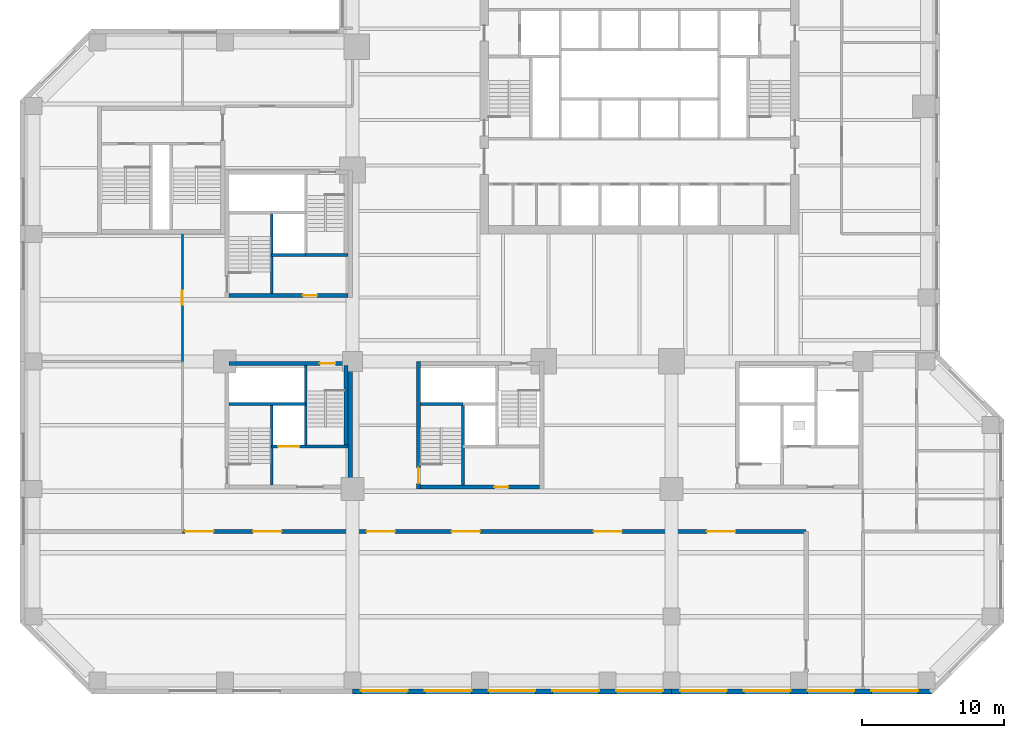
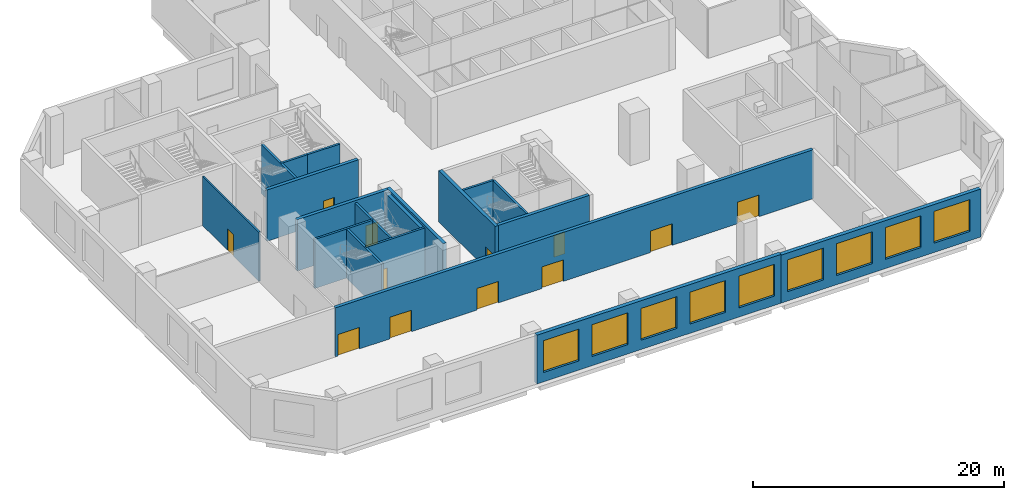
# One storey, part 4 of 12: 19 walls, 12 doors, 9 windows, 21 openings.
"""IFC4 building model written with IfcOpenShell, lengths in metres."""

from ifc_helpers import new_model, si_unit, direction, frame, frame_2d, origin, place, context, subcontext, project, spatial, rectangle, extrude, material, layer, layer_set, constituent, constituent_set, type_object, element, fill, save


model = new_model("IFC4")

# Units and contexts
model_context = context("Model", 3, precision=1e-05, world=origin(), true_north=direction((0.0, 1.0)))
body_context = subcontext(model_context, "Body", "Model", "MODEL_VIEW")
ifc_project = project(units=[si_unit("LENGTHUNIT", "METRE"), si_unit("AREAUNIT", "SQUARE_METRE"), si_unit("VOLUMEUNIT", "CUBIC_METRE"), si_unit("PLANEANGLEUNIT", "RADIAN"), si_unit("MASSUNIT", "GRAM", prefix="KILO")], contexts=[model_context])

# Site, building, storey
site_placement = place(None, origin())
site = spatial("IfcSite", under=ifc_project, at=site_placement, CompositionType="ELEMENT")
building_placement = place(site_placement, origin())
building = spatial("IfcBuilding", under=site, at=building_placement, Name="Quoin Convention Tower", CompositionType="ELEMENT")
storey_placement = place(building_placement, frame((0.0, 0.0, 13.5)))
storey = spatial("IfcBuildingStorey", under=building, at=storey_placement, Name="L02", CompositionType="ELEMENT", Elevation=13.5)

# Wall, openings, doors
ifc_material_1 = material(Name="Plasterboard")
ifc_layer_1 = layer(ifc_material_1, 0.012451171875, Name="Finish")
ifc_material_2 = material(Name="Steel stud framing", Category="steel")
ifc_layer_2 = layer(ifc_material_2, 0.27490234375, Name="Structure")
ifc_layer_3 = layer(ifc_material_1, 0.012451171875, Name="Finish")
ifc_layer_set_1 = layer_set([ifc_layer_1, ifc_layer_2, ifc_layer_3], Name="Steel stud framing")
wall_type_1 = type_object("IfcWallType", Name="Acoustic wall 300", PredefinedType="PARTITIONING", material=ifc_layer_set_1)
wall_1_placement = place(storey_placement, frame((24.0, 28.5, 0.0), z_axis=(0.0, 0.0, 1.0), x_axis=(1.0, 0.0, 0.0)))
wall_1 = element("IfcWall", 1, at=wall_1_placement, inside=storey, type_object=wall_type_1, Name="pw-L02-004", PredefinedType="PARTITIONING", context=body_context, shape_type="SweptSolid", body=[
    extrude(rectangle(XDim=44.0, YDim=0.300048828125, at=frame_2d((22.0, 0.0))), origin(), (0.0, 0.0, 1.0), 4.780029296875),
])
opening_1_placement = place(wall_1_placement, frame((0.199951171875, 0.0, 0.0)))
opening_1 = element("IfcOpeningElement", 2, at=opening_1_placement, cuts=wall_1, Name="Opening DPD2-03", PredefinedType="OPENING", context=body_context, shape_type="SweptSolid", body=[
    extrude(rectangle(XDim=2.0, YDim=2.10009765625, at=frame_2d((1.0, 1.050048828125))), frame((0.0, 0.159912109375, 0.0), z_axis=(0.0, -1.0, 0.0), x_axis=(1.0, 0.0, 0.0)), (0.0, 0.0, 1.0), 0.320068359375),
])
opening_2_placement = place(wall_1_placement, frame((5.0, 0.0, 0.0)))
opening_2 = element("IfcOpeningElement", 3, at=opening_2_placement, cuts=wall_1, Name="Opening DPD2-04", PredefinedType="OPENING", context=body_context, shape_type="SweptSolid", body=[
    extrude(rectangle(XDim=2.0, YDim=2.10009765625, at=frame_2d((1.0, 1.050048828125))), frame((0.0, 0.159912109375, 0.0), z_axis=(0.0, -1.0, 0.0), x_axis=(1.0, 0.0, 0.0)), (0.0, 0.0, 1.0), 0.320068359375),
])
opening_3_placement = place(wall_1_placement, frame((13.0, 0.0, 0.0)))
opening_3 = element("IfcOpeningElement", 4, at=opening_3_placement, cuts=wall_1, Name="Opening DPD2-05", PredefinedType="OPENING", context=body_context, shape_type="SweptSolid", body=[
    extrude(rectangle(XDim=2.0, YDim=2.10009765625, at=frame_2d((1.0, 1.050048828125))), frame((0.0, 0.159912109375, 0.0), z_axis=(0.0, -1.0, 0.0), x_axis=(1.0, 0.0, 0.0)), (0.0, 0.0, 1.0), 0.320068359375),
])
opening_4_placement = place(wall_1_placement, frame((19.0, 0.0, 0.0)))
opening_4 = element("IfcOpeningElement", 5, at=opening_4_placement, cuts=wall_1, Name="Opening DPD2-06", PredefinedType="OPENING", context=body_context, shape_type="SweptSolid", body=[
    extrude(rectangle(XDim=2.0, YDim=2.10009765625, at=frame_2d((1.0, 1.050048828125))), frame((0.0, 0.159912109375, 0.0), z_axis=(0.0, -1.0, 0.0), x_axis=(1.0, 0.0, 0.0)), (0.0, 0.0, 1.0), 0.320068359375),
])
opening_5_placement = place(wall_1_placement, frame((37.0, 0.0, 0.0)))
opening_5 = element("IfcOpeningElement", 6, at=opening_5_placement, cuts=wall_1, Name="Opening DPD2-08", PredefinedType="OPENING", context=body_context, shape_type="SweptSolid", body=[
    extrude(rectangle(XDim=2.0, YDim=2.10009765625, at=frame_2d((1.0, 1.050048828125))), frame((0.0, 0.159912109375, 0.0), z_axis=(0.0, -1.0, 0.0), x_axis=(1.0, 0.0, 0.0)), (0.0, 0.0, 1.0), 0.320068359375),
])
opening_6_placement = place(wall_1_placement, frame((29.0, 0.0, 0.0)))
opening_6 = element("IfcOpeningElement", 7, at=opening_6_placement, cuts=wall_1, Name="Opening DPD2-07", PredefinedType="OPENING", context=body_context, shape_type="SweptSolid", body=[
    extrude(rectangle(XDim=2.0, YDim=2.10009765625, at=frame_2d((1.0, 1.050048828125))), frame((0.0, 0.159912109375, 0.0), z_axis=(0.0, -1.0, 0.0), x_axis=(1.0, 0.0, 0.0)), (0.0, 0.0, 1.0), 0.320068359375),
])
ifc_material_3 = material(Name="Steel door leaf", Category="steel")
door_type_1 = type_object("IfcDoorType", Name="Double leaf door 2000", OperationType="DOUBLE_DOOR_SINGLE_SWING", PredefinedType="DOOR", material=ifc_material_3)
door_1_placement = place(opening_1_placement, origin())
door_1 = element("IfcDoor", 8, at=door_1_placement, inside=storey, type_object=door_type_1, Name="dr-L02-001", OperationType="DOUBLE_DOOR_SINGLE_SWING", OverallHeight=2.10009765625, OverallWidth=2.0, PredefinedType="DOOR", context=body_context, shape_type="SweptSolid", body=[
    extrude(rectangle(XDim=2.0, YDim=2.10009765625, at=frame_2d((1.0, 1.050048828125))), frame((0.0, 0.02490234375, 0.0), z_axis=(0.0, -1.0, 0.0), x_axis=(1.0, 0.0, 0.0)), (0.0, 0.0, 1.0), 0.050048828125),
])
fill(opening_1, door_1)
door_2_placement = place(opening_2_placement, origin())
door_2 = element("IfcDoor", 9, at=door_2_placement, inside=storey, type_object=door_type_1, Name="dr-L02-002", OperationType="DOUBLE_DOOR_SINGLE_SWING", OverallHeight=2.10009765625, OverallWidth=2.0, PredefinedType="DOOR", context=body_context, shape_type="SweptSolid", body=[
    extrude(rectangle(XDim=2.0, YDim=2.10009765625, at=frame_2d((1.0, 1.050048828125))), frame((0.0, 0.02490234375, 0.0), z_axis=(0.0, -1.0, 0.0), x_axis=(1.0, 0.0, 0.0)), (0.0, 0.0, 1.0), 0.050048828125),
])
fill(opening_2, door_2)
door_3_placement = place(opening_3_placement, origin())
door_3 = element("IfcDoor", 10, at=door_3_placement, inside=storey, type_object=door_type_1, Name="dr-L02-003", OperationType="DOUBLE_DOOR_SINGLE_SWING", OverallHeight=2.10009765625, OverallWidth=2.0, PredefinedType="DOOR", context=body_context, shape_type="SweptSolid", body=[
    extrude(rectangle(XDim=2.0, YDim=2.10009765625, at=frame_2d((1.0, 1.050048828125))), frame((0.0, 0.02490234375, 0.0), z_axis=(0.0, -1.0, 0.0), x_axis=(1.0, 0.0, 0.0)), (0.0, 0.0, 1.0), 0.050048828125),
])
fill(opening_3, door_3)
door_4_placement = place(opening_4_placement, origin())
door_4 = element("IfcDoor", 11, at=door_4_placement, inside=storey, type_object=door_type_1, Name="dr-L02-004", OperationType="DOUBLE_DOOR_SINGLE_SWING", OverallHeight=2.10009765625, OverallWidth=2.0, PredefinedType="DOOR", context=body_context, shape_type="SweptSolid", body=[
    extrude(rectangle(XDim=2.0, YDim=2.10009765625, at=frame_2d((1.0, 1.050048828125))), frame((0.0, 0.02490234375, 0.0), z_axis=(0.0, -1.0, 0.0), x_axis=(1.0, 0.0, 0.0)), (0.0, 0.0, 1.0), 0.050048828125),
])
fill(opening_4, door_4)
door_5_placement = place(opening_5_placement, origin())
door_5 = element("IfcDoor", 12, at=door_5_placement, inside=storey, type_object=door_type_1, Name="dr-L02-005", OperationType="DOUBLE_DOOR_SINGLE_SWING", OverallHeight=2.10009765625, OverallWidth=2.0, PredefinedType="DOOR", context=body_context, shape_type="SweptSolid", body=[
    extrude(rectangle(XDim=2.0, YDim=2.10009765625, at=frame_2d((1.0, 1.050048828125))), frame((0.0, 0.02490234375, 0.0), z_axis=(0.0, -1.0, 0.0), x_axis=(1.0, 0.0, 0.0)), (0.0, 0.0, 1.0), 0.050048828125),
])
fill(opening_5, door_5)
door_6_placement = place(opening_6_placement, origin())
door_6 = element("IfcDoor", 13, at=door_6_placement, inside=storey, type_object=door_type_1, Name="dr-L02-006", OperationType="DOUBLE_DOOR_SINGLE_SWING", OverallHeight=2.10009765625, OverallWidth=2.0, PredefinedType="DOOR", context=body_context, shape_type="SweptSolid", body=[
    extrude(rectangle(XDim=2.0, YDim=2.10009765625, at=frame_2d((1.0, 1.050048828125))), frame((0.0, 0.02490234375, 0.0), z_axis=(0.0, -1.0, 0.0), x_axis=(1.0, 0.0, 0.0)), (0.0, 0.0, 1.0), 0.050048828125),
])
fill(opening_6, door_6)

# Wall, openings, windows
ifc_material_4 = material(Name="Brick masonry", Category="masonry")
ifc_layer_4 = layer(ifc_material_4, 0.35009765625)
ifc_layer_set_2 = layer_set([ifc_layer_4], Name="Brick masonry")
wall_type_2 = type_object("IfcWallType", Name="Brick facade wall", PredefinedType="STANDARD", material=ifc_layer_set_2)
wall_2_placement = place(storey_placement, frame((36.0, 17.22509765625, 0.0), z_axis=(0.0, 0.0, 1.0), x_axis=(1.0, 0.0, 0.0)))
wall_2 = element("IfcWall", 14, at=wall_2_placement, inside=storey, type_object=wall_type_2, Name="fw-L02-36000_18000", PredefinedType="STANDARD", context=body_context, shape_type="SweptSolid", body=[
    extrude(rectangle(XDim=22.5, YDim=0.35009765625, at=frame_2d((11.25, 0.0))), origin(), (0.0, 0.0, 1.0), 4.7548828125),
])
opening_7_placement = place(wall_2_placement, frame((0.60009765625, 0.0, 0.89990234375)))
opening_7 = element("IfcOpeningElement", 15, at=opening_7_placement, cuts=wall_2, Name="Opening W-05", PredefinedType="OPENING", context=body_context, shape_type="SweptSolid", body=[
    extrude(rectangle(XDim=3.300048828125, YDim=3.10009765625, at=frame_2d((1.64990234375, 1.550048828125))), frame((0.0, 0.18505859375, 0.0), z_axis=(0.0, -1.0, 0.0), x_axis=(1.0, 0.0, 0.0)), (0.0, 0.0, 1.0), 0.3701171875),
])
opening_8_placement = place(wall_2_placement, frame((5.10009765625, 0.0, 0.89990234375)))
opening_8 = element("IfcOpeningElement", 16, at=opening_8_placement, cuts=wall_2, Name="Opening W-05", PredefinedType="OPENING", context=body_context, shape_type="SweptSolid", body=[
    extrude(rectangle(XDim=3.300048828125, YDim=3.10009765625, at=frame_2d((1.64990234375, 1.550048828125))), frame((0.0, 0.18505859375, 0.0), z_axis=(0.0, -1.0, 0.0), x_axis=(1.0, 0.0, 0.0)), (0.0, 0.0, 1.0), 0.3701171875),
])
opening_9_placement = place(wall_2_placement, frame((9.60009765625, 0.0, 0.89990234375)))
opening_9 = element("IfcOpeningElement", 17, at=opening_9_placement, cuts=wall_2, Name="Opening W-05", PredefinedType="OPENING", context=body_context, shape_type="SweptSolid", body=[
    extrude(rectangle(XDim=3.300048828125, YDim=3.10009765625, at=frame_2d((1.64990234375, 1.550048828125))), frame((0.0, 0.18505859375, 0.0), z_axis=(0.0, -1.0, 0.0), x_axis=(1.0, 0.0, 0.0)), (0.0, 0.0, 1.0), 0.3701171875),
])
opening_10_placement = place(wall_2_placement, frame((14.10009765625, 0.0, 0.89990234375)))
opening_10 = element("IfcOpeningElement", 18, at=opening_10_placement, cuts=wall_2, Name="Opening W-05", PredefinedType="OPENING", context=body_context, shape_type="SweptSolid", body=[
    extrude(rectangle(XDim=3.300048828125, YDim=3.10009765625, at=frame_2d((1.64990234375, 1.550048828125))), frame((0.0, 0.18505859375, 0.0), z_axis=(0.0, -1.0, 0.0), x_axis=(1.0, 0.0, 0.0)), (0.0, 0.0, 1.0), 0.3701171875),
])
opening_11_placement = place(wall_2_placement, frame((18.60009765625, 0.0, 0.89990234375)))
opening_11 = element("IfcOpeningElement", 19, at=opening_11_placement, cuts=wall_2, Name="Opening W-05", PredefinedType="OPENING", context=body_context, shape_type="SweptSolid", body=[
    extrude(rectangle(XDim=3.300048828125, YDim=3.10009765625, at=frame_2d((1.64990234375, 1.550048828125))), frame((0.0, 0.18505859375, 0.0), z_axis=(0.0, -1.0, 0.0), x_axis=(1.0, 0.0, 0.0)), (0.0, 0.0, 1.0), 0.3701171875),
])
ifc_material_5 = material(Name="Aluminium", Category="aluminium")
ifc_constituent_1 = constituent(ifc_material_5, Name="Frame")
ifc_material_6 = material(Name="Insulated glass", Category="glass")
ifc_constituent_2 = constituent(ifc_material_6, Name="Glazing")
ifc_constituent_set = constituent_set(constituents=[ifc_constituent_1, ifc_constituent_2], Name="Aluminium")
window_type = type_object("IfcWindowType", Name="Convention window L02", PartitioningType="TRIPLE_PANEL_VERTICAL", PredefinedType="WINDOW", material=ifc_constituent_set)
window_1_placement = place(opening_7_placement, origin())
window_1 = element("IfcWindow", 20, at=window_1_placement, inside=storey, type_object=window_type, Name="win-L02-38250_17225", OverallHeight=3.10009765625, OverallWidth=3.300048828125, PartitioningType="SINGLE_PANEL", PredefinedType="WINDOW", context=body_context, shape_type="SweptSolid", body=[
    extrude(rectangle(XDim=3.300048828125, YDim=3.10009765625, at=frame_2d((1.64990234375, 1.550048828125))), frame((0.0, 0.0849609375, 0.0), z_axis=(0.0, -1.0, 0.0), x_axis=(1.0, 0.0, 0.0)), (0.0, 0.0, 1.0), 0.06005859375),
])
fill(opening_7, window_1)
window_2_placement = place(opening_8_placement, origin())
window_2 = element("IfcWindow", 21, at=window_2_placement, inside=storey, type_object=window_type, Name="win-L02-42750_17225", OverallHeight=3.10009765625, OverallWidth=3.300048828125, PartitioningType="SINGLE_PANEL", PredefinedType="WINDOW", context=body_context, shape_type="SweptSolid", body=[
    extrude(rectangle(XDim=3.300048828125, YDim=3.10009765625, at=frame_2d((1.64990234375, 1.550048828125))), frame((0.0, 0.0849609375, 0.0), z_axis=(0.0, -1.0, 0.0), x_axis=(1.0, 0.0, 0.0)), (0.0, 0.0, 1.0), 0.06005859375),
])
fill(opening_8, window_2)
window_3_placement = place(opening_9_placement, origin())
window_3 = element("IfcWindow", 22, at=window_3_placement, inside=storey, type_object=window_type, Name="win-L02-47250_17225", OverallHeight=3.10009765625, OverallWidth=3.300048828125, PartitioningType="SINGLE_PANEL", PredefinedType="WINDOW", context=body_context, shape_type="SweptSolid", body=[
    extrude(rectangle(XDim=3.300048828125, YDim=3.10009765625, at=frame_2d((1.64990234375, 1.550048828125))), frame((0.0, 0.0849609375, 0.0), z_axis=(0.0, -1.0, 0.0), x_axis=(1.0, 0.0, 0.0)), (0.0, 0.0, 1.0), 0.06005859375),
])
fill(opening_9, window_3)
window_4_placement = place(opening_10_placement, origin())
window_4 = element("IfcWindow", 23, at=window_4_placement, inside=storey, type_object=window_type, Name="win-L02-51750_17225", OverallHeight=3.10009765625, OverallWidth=3.300048828125, PartitioningType="SINGLE_PANEL", PredefinedType="WINDOW", context=body_context, shape_type="SweptSolid", body=[
    extrude(rectangle(XDim=3.300048828125, YDim=3.10009765625, at=frame_2d((1.64990234375, 1.550048828125))), frame((0.0, 0.0849609375, 0.0), z_axis=(0.0, -1.0, 0.0), x_axis=(1.0, 0.0, 0.0)), (0.0, 0.0, 1.0), 0.06005859375),
])
fill(opening_10, window_4)
window_5_placement = place(opening_11_placement, origin())
window_5 = element("IfcWindow", 24, at=window_5_placement, inside=storey, type_object=window_type, Name="win-L02-56250_17225", OverallHeight=3.10009765625, OverallWidth=3.300048828125, PartitioningType="SINGLE_PANEL", PredefinedType="WINDOW", context=body_context, shape_type="SweptSolid", body=[
    extrude(rectangle(XDim=3.300048828125, YDim=3.10009765625, at=frame_2d((1.64990234375, 1.550048828125))), frame((0.0, 0.0849609375, 0.0), z_axis=(0.0, -1.0, 0.0), x_axis=(1.0, 0.0, 0.0)), (0.0, 0.0, 1.0), 0.06005859375),
])
fill(opening_11, window_5)

wall_3_placement = place(storey_placement, frame((58.5, 17.22509765625, 0.0), z_axis=(0.0, 0.0, 1.0), x_axis=(1.0, 0.0, 0.0)))
wall_3 = element("IfcWall", 25, at=wall_3_placement, inside=storey, type_object=wall_type_2, Name="fw-L02-58500_18000", PredefinedType="STANDARD", context=body_context, shape_type="SweptSolid", body=[
    extrude(rectangle(XDim=18.3935546875, YDim=0.35009765625, at=frame_2d((9.19677734375, 0.0))), origin(), (0.0, 0.0, 1.0), 4.675048828125),
])
opening_12_placement = place(wall_3_placement, frame((0.60009765625, 0.0, 0.89990234375)))
opening_12 = element("IfcOpeningElement", 26, at=opening_12_placement, cuts=wall_3, Name="Opening W-05", PredefinedType="OPENING", context=body_context, shape_type="SweptSolid", body=[
    extrude(rectangle(XDim=3.300048828125, YDim=3.10009765625, at=frame_2d((1.64990234375, 1.550048828125))), frame((0.0, 0.18505859375, 0.0), z_axis=(0.0, -1.0, 0.0), x_axis=(1.0, 0.0, 0.0)), (0.0, 0.0, 1.0), 0.3701171875),
])
opening_13_placement = place(wall_3_placement, frame((5.10009765625, 0.0, 0.89990234375)))
opening_13 = element("IfcOpeningElement", 27, at=opening_13_placement, cuts=wall_3, Name="Opening W-05", PredefinedType="OPENING", context=body_context, shape_type="SweptSolid", body=[
    extrude(rectangle(XDim=3.300048828125, YDim=3.10009765625, at=frame_2d((1.64990234375, 1.550048828125))), frame((0.0, 0.18505859375, 0.0), z_axis=(0.0, -1.0, 0.0), x_axis=(1.0, 0.0, 0.0)), (0.0, 0.0, 1.0), 0.3701171875),
])
opening_14_placement = place(wall_3_placement, frame((9.60009765625, 0.0, 0.89990234375)))
opening_14 = element("IfcOpeningElement", 28, at=opening_14_placement, cuts=wall_3, Name="Opening W-05", PredefinedType="OPENING", context=body_context, shape_type="SweptSolid", body=[
    extrude(rectangle(XDim=3.300048828125, YDim=3.10009765625, at=frame_2d((1.64990234375, 1.550048828125))), frame((0.0, 0.18505859375, 0.0), z_axis=(0.0, -1.0, 0.0), x_axis=(1.0, 0.0, 0.0)), (0.0, 0.0, 1.0), 0.3701171875),
])
opening_15_placement = place(wall_3_placement, frame((14.10009765625, 0.0, 0.89990234375)))
opening_15 = element("IfcOpeningElement", 29, at=opening_15_placement, cuts=wall_3, Name="Opening W-05", PredefinedType="OPENING", context=body_context, shape_type="SweptSolid", body=[
    extrude(rectangle(XDim=3.300048828125, YDim=3.10009765625, at=frame_2d((1.64990234375, 1.550048828125))), frame((0.0, 0.18505859375, 0.0), z_axis=(0.0, -1.0, 0.0), x_axis=(1.0, 0.0, 0.0)), (0.0, 0.0, 1.0), 0.3701171875),
])
window_6_placement = place(opening_12_placement, origin())
window_6 = element("IfcWindow", 30, at=window_6_placement, inside=storey, type_object=window_type, Name="win-L02-60750_17225", OverallHeight=3.10009765625, OverallWidth=3.300048828125, PartitioningType="SINGLE_PANEL", PredefinedType="WINDOW", context=body_context, shape_type="SweptSolid", body=[
    extrude(rectangle(XDim=3.300048828125, YDim=3.10009765625, at=frame_2d((1.64990234375, 1.550048828125))), frame((0.0, 0.0849609375, 0.0), z_axis=(0.0, -1.0, 0.0), x_axis=(1.0, 0.0, 0.0)), (0.0, 0.0, 1.0), 0.06005859375),
])
fill(opening_12, window_6)
window_7_placement = place(opening_13_placement, origin())
window_7 = element("IfcWindow", 31, at=window_7_placement, inside=storey, type_object=window_type, Name="win-L02-65250_17225", OverallHeight=3.10009765625, OverallWidth=3.300048828125, PartitioningType="SINGLE_PANEL", PredefinedType="WINDOW", context=body_context, shape_type="SweptSolid", body=[
    extrude(rectangle(XDim=3.300048828125, YDim=3.10009765625, at=frame_2d((1.64990234375, 1.550048828125))), frame((0.0, 0.0849609375, 0.0), z_axis=(0.0, -1.0, 0.0), x_axis=(1.0, 0.0, 0.0)), (0.0, 0.0, 1.0), 0.06005859375),
])
fill(opening_13, window_7)
window_8_placement = place(opening_14_placement, origin())
window_8 = element("IfcWindow", 32, at=window_8_placement, inside=storey, type_object=window_type, Name="win-L02-69750_17225", OverallHeight=3.10009765625, OverallWidth=3.300048828125, PartitioningType="SINGLE_PANEL", PredefinedType="WINDOW", context=body_context, shape_type="SweptSolid", body=[
    extrude(rectangle(XDim=3.300048828125, YDim=3.10009765625, at=frame_2d((1.64990234375, 1.550048828125))), frame((0.0, 0.0849609375, 0.0), z_axis=(0.0, -1.0, 0.0), x_axis=(1.0, 0.0, 0.0)), (0.0, 0.0, 1.0), 0.06005859375),
])
fill(opening_14, window_8)
window_9_placement = place(opening_15_placement, origin())
window_9 = element("IfcWindow", 33, at=window_9_placement, inside=storey, type_object=window_type, Name="win-L02-74250_17225", OverallHeight=3.10009765625, OverallWidth=3.300048828125, PartitioningType="SINGLE_PANEL", PredefinedType="WINDOW", context=body_context, shape_type="SweptSolid", body=[
    extrude(rectangle(XDim=3.300048828125, YDim=3.10009765625, at=frame_2d((1.64990234375, 1.550048828125))), frame((0.0, 0.0849609375, 0.0), z_axis=(0.0, -1.0, 0.0), x_axis=(1.0, 0.0, 0.0)), (0.0, 0.0, 1.0), 0.06005859375),
])
fill(opening_15, window_9)

# Walls
ifc_material_7 = material(Name="Concrete C50", Category="concrete")
ifc_layer_5 = layer(ifc_material_7, 0.199951171875)
ifc_layer_set_3 = layer_set([ifc_layer_5], Name="Concrete C50")
wall_type_3 = type_object("IfcWallType", Name="Core shaft wall", PredefinedType="SOLIDWALL", material=ifc_layer_set_3)
wall_4_placement = place(storey_placement, frame((30.300048828125, 48.0, 0.0), z_axis=(0.0, 0.0, 1.0), x_axis=(1.0, 0.0, 0.0)))
element("IfcWall", 34, at=wall_4_placement, inside=storey, type_object=wall_type_3, Name="cr-P2-L02-h3000_3300", PredefinedType="SOLIDWALL", context=body_context, shape_type="SweptSolid", body=[
    extrude(rectangle(XDim=2.39990234375, YDim=0.199951171875, at=frame_2d((1.199951171875, 0.0))), origin(), (0.0, 0.0, 1.0), 4.780029296875),
])
wall_5_placement = place(storey_placement, frame((32.699951171875, 48.0, 0.0), z_axis=(0.0, 0.0, 1.0), x_axis=(1.0, 0.0, 0.0)))
element("IfcWall", 35, at=wall_5_placement, inside=storey, type_object=wall_type_3, Name="cr-P2-L02-h3000_5700", PredefinedType="SOLIDWALL", context=body_context, shape_type="SweptSolid", body=[
    extrude(rectangle(XDim=3.0, YDim=0.199951171875, at=frame_2d((1.5, 0.0))), origin(), (0.0, 0.0, 1.0), 4.780029296875),
])
wall_6_placement = place(storey_placement, frame((30.300048828125, 45.300048828125, 0.0), z_axis=(0.0, 0.0, 1.0), x_axis=(0.0, 1.0, 0.0)))
element("IfcWall", 36, at=wall_6_placement, inside=storey, type_object=wall_type_3, Name="cr-P2-L02-v3300_300", PredefinedType="SOLIDWALL", context=body_context, shape_type="SweptSolid", body=[
    extrude(rectangle(XDim=5.699951171875, YDim=0.199951171875, at=frame_2d((2.85009765625, 0.0))), origin(), (0.0, 0.0, 1.0), 4.780029296875),
])
wall_7_placement = place(storey_placement, frame((40.800048828125, 37.5, 0.0), z_axis=(0.0, 0.0, 1.0), x_axis=(1.0, 0.0, 0.0)))
element("IfcWall", 37, at=wall_7_placement, inside=storey, type_object=wall_type_3, Name="cr-P3-L02-h6000_300", PredefinedType="SOLIDWALL", context=body_context, shape_type="SweptSolid", body=[
    extrude(rectangle(XDim=3.0, YDim=0.199951171875, at=frame_2d((1.5, 0.0))), origin(), (0.0, 0.0, 1.0), 4.780029296875),
])
wall_8_placement = place(storey_placement, frame((43.800048828125, 31.800048828125, 0.0), z_axis=(0.0, 0.0, 1.0), x_axis=(0.0, 1.0, 0.0)))
element("IfcWall", 38, at=wall_8_placement, inside=storey, type_object=wall_type_3, Name="cr-P3-L02-v3300_300", PredefinedType="SOLIDWALL", context=body_context, shape_type="SweptSolid", body=[
    extrude(rectangle(XDim=5.699951171875, YDim=0.199951171875, at=frame_2d((2.85009765625, 0.0))), origin(), (0.0, 0.0, 1.0), 4.780029296875),
])

# Wall, opening, door
wall_9_placement = place(storey_placement, frame((30.300048828125, 34.5, 0.0), z_axis=(0.0, 0.0, 1.0), x_axis=(1.0, 0.0, 0.0)))
wall_9 = element("IfcWall", 39, at=wall_9_placement, inside=storey, type_object=wall_type_3, Name="cr-P4-L02-h3000_3300", PredefinedType="SOLIDWALL", context=body_context, shape_type="SweptSolid", body=[
    extrude(rectangle(XDim=5.39990234375, YDim=0.199951171875, at=frame_2d((2.699951171875, 0.0))), origin(), (0.0, 0.0, 1.0), 4.780029296875),
])
opening_16_placement = place(wall_9_placement, frame((0.449951171875, 0.0, 0.0)))
opening_16 = element("IfcOpeningElement", 40, at=opening_16_placement, cuts=wall_9, Name="Opening LDGL1", PredefinedType="OPENING", context=body_context, shape_type="SweptSolid", body=[
    extrude(rectangle(XDim=1.5, YDim=2.10009765625, at=frame_2d((0.75, 1.050048828125))), frame((0.0, 0.10986328125, 0.0), z_axis=(0.0, -1.0, 0.0), x_axis=(1.0, 0.0, 0.0)), (0.0, 0.0, 1.0), 0.219970703125),
])
door_type_2 = type_object("IfcDoorType", Name="Lift landing door 1500 x 2100", OperationType="DOUBLE_DOOR_SLIDING", PredefinedType="DOOR", material=ifc_material_3)
door_7_placement = place(opening_16_placement, origin())
door_7 = element("IfcDoor", 41, at=door_7_placement, inside=storey, type_object=door_type_2, Name="cd-P4-L02-CEN-R2-LDGL1", OperationType="DOUBLE_DOOR_SLIDING", OverallHeight=2.10009765625, OverallWidth=1.5, PredefinedType="DOOR", context=body_context, shape_type="SweptSolid", body=[
    extrude(rectangle(XDim=1.5, YDim=2.10009765625, at=frame_2d((0.75, 1.050048828125))), frame((0.0, 0.02490234375, 0.0), z_axis=(0.0, -1.0, 0.0), x_axis=(1.0, 0.0, 0.0)), (0.0, 0.0, 1.0), 0.050048828125),
])
fill(opening_16, door_7)

# Walls
wall_10_placement = place(storey_placement, frame((27.300048828125, 37.5, 0.0), z_axis=(0.0, 0.0, 1.0), x_axis=(1.0, 0.0, 0.0)))
element("IfcWall", 42, at=wall_10_placement, inside=storey, type_object=wall_type_3, Name="cr-P4-L02-h6000_300", PredefinedType="SOLIDWALL", context=body_context, shape_type="SweptSolid", body=[
    extrude(rectangle(XDim=5.39990234375, YDim=0.199951171875, at=frame_2d((2.699951171875, 0.0))), origin(), (0.0, 0.0, 1.0), 4.780029296875),
])
for number, where, z_axis, x_axis, name in (
    (43, (30.300048828125, 31.800048828125, 0.0), (0.0, 0.0, 1.0), (0.0, 1.0, 0.0), "cr-P4-L02-v3300_300"),
    (44, (32.699951171875, 34.5, 0.0), (0.0, 0.0, 1.0), (0.0, 1.0, 0.0), "cr-P4-L02-v5700_3000"),
):
    element("IfcWall", number, at=place(storey_placement, frame(where, z_axis=z_axis, x_axis=x_axis)), inside=storey, type_object=wall_type_3, Name=name, PredefinedType="SOLIDWALL", context=body_context, shape_type="SweptSolid", body=[
        extrude(rectangle(XDim=5.699951171875, YDim=0.199951171875, at=frame_2d((2.85009765625, 0.0))), origin(), (0.0, 0.0, 1.0), 4.780029296875),
    ])

# Wall, opening, door
ifc_layer_6 = layer(ifc_material_1, 0.012451171875, Name="Finish")
ifc_layer_7 = layer(ifc_material_2, 0.125, Name="Structure")
ifc_layer_8 = layer(ifc_material_1, 0.012451171875, Name="Finish")
ifc_layer_set_4 = layer_set([ifc_layer_6, ifc_layer_7, ifc_layer_8], Name="Steel stud framing")
wall_type_4 = type_object("IfcWallType", Name="Partition wall 150", PredefinedType="PARTITIONING", material=ifc_layer_set_4)
wall_11_placement = place(storey_placement, frame((24.0, 40.5, 0.0), z_axis=(0.0, 0.0, 1.0), x_axis=(0.0, 1.0, 0.0)))
wall_11 = element("IfcWall", 45, at=wall_11_placement, inside=storey, type_object=wall_type_4, Name="pw-L02-015", PredefinedType="PARTITIONING", context=body_context, shape_type="SweptSolid", body=[
    extrude(rectangle(XDim=9.0, YDim=0.14990234375, at=frame_2d((4.5, 0.0))), origin(), (0.0, 0.0, 1.0), 4.780029296875),
])
opening_17_placement = place(wall_11_placement, frame((4.0, 0.0, 0.0)))
opening_17 = element("IfcOpeningElement", 46, at=opening_17_placement, cuts=wall_11, Name="Opening DPD2-14", PredefinedType="OPENING", context=body_context, shape_type="SweptSolid", body=[
    extrude(rectangle(XDim=1.0, YDim=2.10009765625, at=frame_2d((0.5, 1.050048828125))), frame((0.0, 0.0849609375, 0.0), z_axis=(0.0, -1.0, 0.0), x_axis=(1.0, 0.0, 0.0)), (0.0, 0.0, 1.0), 0.169921875),
])
door_type_3 = type_object("IfcDoorType", Name="Single leaf door 1000", OperationType="SINGLE_SWING_LEFT", PredefinedType="DOOR", material=ifc_material_3)
door_8_placement = place(opening_17_placement, origin())
door_8 = element("IfcDoor", 47, at=door_8_placement, inside=storey, type_object=door_type_3, Name="dr-L02-014", OperationType="SINGLE_SWING_LEFT", OverallHeight=2.10009765625, OverallWidth=1.0, PredefinedType="DOOR", context=body_context, shape_type="SweptSolid", body=[
    extrude(rectangle(XDim=1.0, YDim=2.10009765625, at=frame_2d((0.5, 1.050048828125))), frame((0.0, 0.02490234375, 0.0), z_axis=(0.0, -1.0, 0.0), x_axis=(1.0, 0.0, 0.0)), (0.0, 0.0, 1.0), 0.050048828125),
])
fill(opening_17, door_8)

ifc_material_8 = material(Name="Concrete C100 (100 MPa)", Category="concrete")
ifc_layer_9 = layer(ifc_material_8, 0.300048828125)
ifc_layer_set_5 = layer_set([ifc_layer_9], Name="Concrete C100 (100 MPa)")
wall_type_5 = type_object("IfcWallType", Name="RC CORE WALL 300 C100", PredefinedType="SHEAR", material=ifc_layer_set_5)
wall_12_placement = place(storey_placement, frame((27.300048828125, 45.14990234375, 0.0), z_axis=(0.0, 0.0, 1.0), x_axis=(1.0, 0.0, 0.0)))
wall_12 = element("IfcWall", 48, at=wall_12_placement, inside=storey, type_object=wall_type_5, Name="cwl-P2-L02-S", PredefinedType="SHEAR", context=body_context, shape_type="SweptSolid", body=[
    extrude(rectangle(XDim=8.39990234375, YDim=0.300048828125, at=frame_2d((4.199951171875, 0.0))), origin(), (0.0, 0.0, 1.0), 5.0),
])
opening_18_placement = place(wall_12_placement, frame((5.199951171875, 0.0, 0.0)))
opening_18 = element("IfcOpeningElement", 49, at=opening_18_placement, cuts=wall_12, Name="Opening DCV1-50", PredefinedType="OPENING", context=body_context, shape_type="SweptSolid", body=[
    extrude(rectangle(XDim=1.0, YDim=2.10009765625, at=frame_2d((0.5, 1.050048828125))), frame((0.0, 0.159912109375, 0.0), z_axis=(0.0, -1.0, 0.0), x_axis=(1.0, 0.0, 0.0)), (0.0, 0.0, 1.0), 0.320068359375),
])
door_type_4 = type_object("IfcDoorType", Name="Service door 1000 x 2100", OperationType="SINGLE_SWING_LEFT", PredefinedType="DOOR", material=ifc_material_3)
door_9_placement = place(opening_18_placement, origin())
door_9 = element("IfcDoor", 50, at=door_9_placement, inside=storey, type_object=door_type_4, Name="cd-P2-L02-R2-S", OperationType="SINGLE_SWING_LEFT", OverallHeight=2.10009765625, OverallWidth=1.0, PredefinedType="DOOR", context=body_context, shape_type="SweptSolid", body=[
    extrude(rectangle(XDim=1.0, YDim=2.10009765625, at=frame_2d((0.5, 1.050048828125))), frame((0.0, 0.02490234375, 0.0), z_axis=(0.0, -1.0, 0.0), x_axis=(1.0, 0.0, 0.0)), (0.0, 0.0, 1.0), 0.050048828125),
])
fill(opening_18, door_9)

wall_13_placement = place(storey_placement, frame((40.800048828125, 31.64990234375, 0.0), z_axis=(0.0, 0.0, 1.0), x_axis=(1.0, 0.0, 0.0)))
wall_13 = element("IfcWall", 51, at=wall_13_placement, inside=storey, type_object=wall_type_5, Name="cwl-P3-L02-S", PredefinedType="SHEAR", context=body_context, shape_type="SweptSolid", body=[
    extrude(rectangle(XDim=8.39990234375, YDim=0.300048828125, at=frame_2d((4.199951171875, 0.0))), origin(), (0.0, 0.0, 1.0), 5.0),
])
opening_19_placement = place(wall_13_placement, frame((5.199951171875, 0.0, 0.0)))
opening_19 = element("IfcOpeningElement", 52, at=opening_19_placement, cuts=wall_13, Name="Opening DCV1-51", PredefinedType="OPENING", context=body_context, shape_type="SweptSolid", body=[
    extrude(rectangle(XDim=1.0, YDim=2.10009765625, at=frame_2d((0.5, 1.050048828125))), frame((0.0, 0.159912109375, 0.0), z_axis=(0.0, -1.0, 0.0), x_axis=(1.0, 0.0, 0.0)), (0.0, 0.0, 1.0), 0.320068359375),
])
door_10_placement = place(opening_19_placement, origin())
door_10 = element("IfcDoor", 53, at=door_10_placement, inside=storey, type_object=door_type_4, Name="cd-P3-L02-R2-S", OperationType="SINGLE_SWING_LEFT", OverallHeight=2.10009765625, OverallWidth=1.0, PredefinedType="DOOR", context=body_context, shape_type="SweptSolid", body=[
    extrude(rectangle(XDim=1.0, YDim=2.10009765625, at=frame_2d((0.5, 1.050048828125))), frame((0.0, 0.02490234375, 0.0), z_axis=(0.0, -1.0, 0.0), x_axis=(1.0, 0.0, 0.0)), (0.0, 0.0, 1.0), 0.050048828125),
])
fill(opening_19, door_10)

wall_14_placement = place(storey_placement, frame((40.64990234375, 31.5, 0.0), z_axis=(0.0, 0.0, 1.0), x_axis=(0.0, 1.0, 0.0)))
wall_14 = element("IfcWall", 54, at=wall_14_placement, inside=storey, type_object=wall_type_5, Name="cwl-P3-L02-W", PredefinedType="SHEAR", context=body_context, shape_type="SweptSolid", body=[
    extrude(rectangle(XDim=9.0, YDim=0.300048828125, at=frame_2d((4.5, 0.0))), origin(), (0.0, 0.0, 1.0), 5.0),
])
opening_20_placement = place(wall_14_placement, frame((0.39990234375, 0.0, 0.0)))
opening_20 = element("IfcOpeningElement", 55, at=opening_20_placement, cuts=wall_14, Name="Opening SD5", PredefinedType="OPENING", context=body_context, shape_type="SweptSolid", body=[
    extrude(rectangle(XDim=1.10009765625, YDim=2.10009765625, at=frame_2d((0.550048828125, 1.050048828125))), frame((0.0, 0.159912109375, 0.0), z_axis=(0.0, -1.0, 0.0), x_axis=(1.0, 0.0, 0.0)), (0.0, 0.0, 1.0), 0.320068359375),
])
door_type_5 = type_object("IfcDoorType", Name="Stair door 1100 x 2100", OperationType="SINGLE_SWING_RIGHT", PredefinedType="DOOR", material=ifc_material_3)
door_11_placement = place(opening_20_placement, frame((1.10009765625, 0.0, 0.0), z_axis=(0.0, 0.0, 1.0), x_axis=(-1.0, 0.0, 0.0)))
door_11 = element("IfcDoor", 56, at=door_11_placement, inside=storey, type_object=door_type_5, Name="cd-P3-L02-SA-W", OperationType="SINGLE_SWING_RIGHT", OverallHeight=2.10009765625, OverallWidth=1.10009765625, PredefinedType="DOOR", context=body_context, shape_type="SweptSolid", body=[
    extrude(rectangle(XDim=1.10009765625, YDim=2.10009765625, at=frame_2d((0.550048828125, 1.050048828125))), frame((0.0, 0.02490234375, 0.0), z_axis=(0.0, -1.0, 0.0), x_axis=(1.0, 0.0, 0.0)), (0.0, 0.0, 1.0), 0.050048828125),
])
fill(opening_20, door_11)

wall_15_placement = place(storey_placement, frame((27.300048828125, 40.35009765625, 0.0), z_axis=(0.0, 0.0, 1.0), x_axis=(1.0, 0.0, 0.0)))
wall_15 = element("IfcWall", 57, at=wall_15_placement, inside=storey, type_object=wall_type_5, Name="cwl-P4-L02-N", PredefinedType="SHEAR", context=body_context, shape_type="SweptSolid", body=[
    extrude(rectangle(XDim=8.39990234375, YDim=0.300048828125, at=frame_2d((4.199951171875, 0.0))), origin(), (0.0, 0.0, 1.0), 5.0),
])
opening_21_placement = place(wall_15_placement, frame((6.39990234375, 0.0, 0.0)))
opening_21 = element("IfcOpeningElement", 58, at=opening_21_placement, cuts=wall_15, Name="Opening SD8", PredefinedType="OPENING", context=body_context, shape_type="SweptSolid", body=[
    extrude(rectangle(XDim=1.10009765625, YDim=2.10009765625, at=frame_2d((0.550048828125, 1.050048828125))), frame((0.0, 0.159912109375, 0.0), z_axis=(0.0, -1.0, 0.0), x_axis=(1.0, 0.0, 0.0)), (0.0, 0.0, 1.0), 0.320068359375),
])
door_12_placement = place(opening_21_placement, frame((1.10009765625, 0.0, 0.0), z_axis=(0.0, 0.0, 1.0), x_axis=(-1.0, 0.0, 0.0)))
door_12 = element("IfcDoor", 59, at=door_12_placement, inside=storey, type_object=door_type_5, Name="cd-P4-L02-SB-N", OperationType="SINGLE_SWING_LEFT", OverallHeight=2.10009765625, OverallWidth=1.10009765625, PredefinedType="DOOR", context=body_context, shape_type="SweptSolid", body=[
    extrude(rectangle(XDim=1.10009765625, YDim=2.10009765625, at=frame_2d((0.550048828125, 1.050048828125))), frame((0.0, 0.02490234375, 0.0), z_axis=(0.0, -1.0, 0.0), x_axis=(1.0, 0.0, 0.0)), (0.0, 0.0, 1.0), 0.050048828125),
])
fill(opening_21, door_12)

# Walls
wall_16_placement = place(storey_placement, frame((35.85009765625, 31.5, 0.0), z_axis=(0.0, 0.0, 1.0), x_axis=(0.0, 1.0, 0.0)))
element("IfcWall", 60, at=wall_16_placement, inside=storey, type_object=wall_type_5, Name="cwl-P4-L02-E", PredefinedType="SHEAR", context=body_context, shape_type="SweptSolid", body=[
    extrude(rectangle(XDim=9.0, YDim=0.300048828125, at=frame_2d((4.5, 0.0))), origin(), (0.0, 0.0, 1.0), 5.0),
])
ifc_layer_10 = layer(ifc_material_7, 0.300048828125)
ifc_layer_set_6 = layer_set([ifc_layer_10], Name="Concrete C50")
wall_type_6 = type_object("IfcWallType", Name="Stair cell lining wall 300", PredefinedType="SOLIDWALL", material=ifc_layer_set_6)
wall_17_placement = place(storey_placement, frame((35.550048828125, 34.60009765625, 0.0), z_axis=(0.0, 0.0, 1.0), x_axis=(0.0, 1.0, 0.0)))
element("IfcWall", 61, at=wall_17_placement, inside=storey, type_object=wall_type_6, Name="cr-P4-L02-linSD8", PredefinedType="SOLIDWALL", context=body_context, shape_type="SweptSolid", body=[
    extrude(rectangle(XDim=5.599853515625, YDim=0.300048828125, at=frame_2d((2.7998046875, 0.0))), origin(), (0.0, 0.0, 1.0), 4.780029296875),
])

save(model, "model.ifc")
